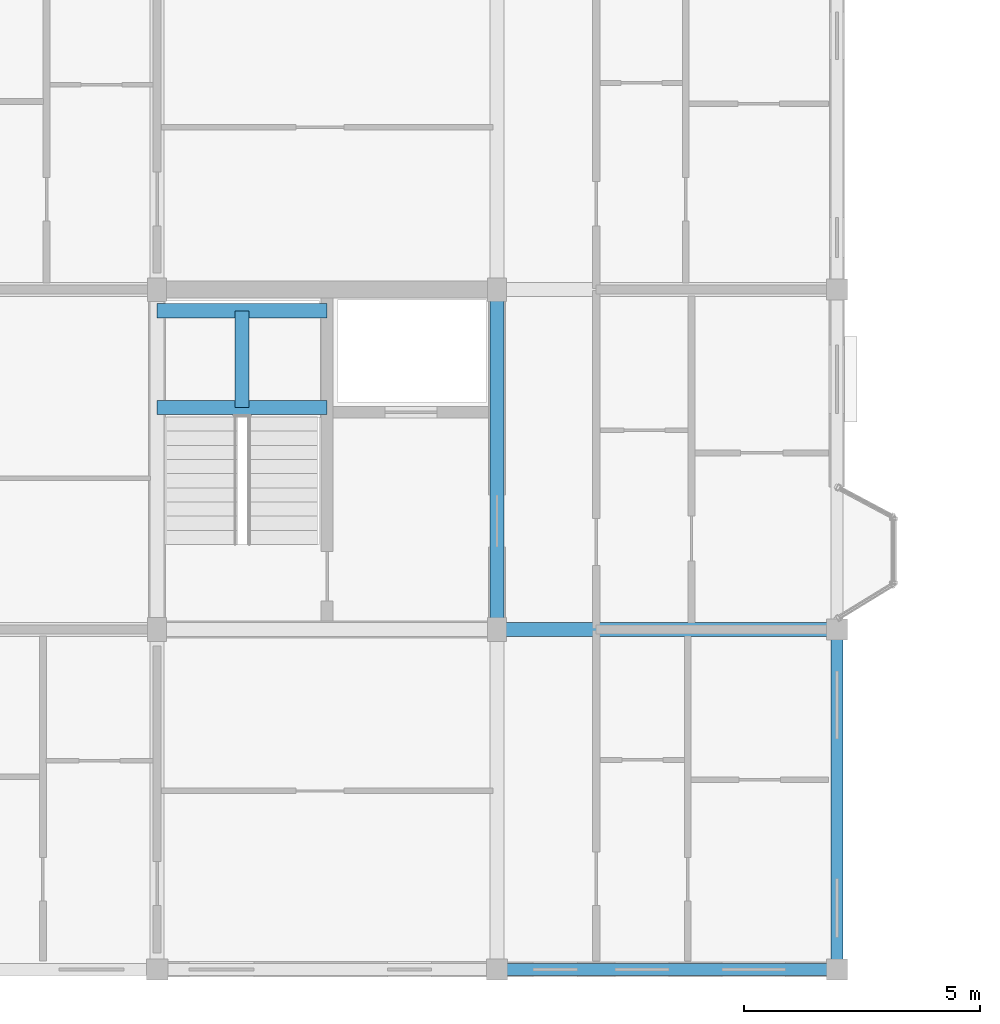
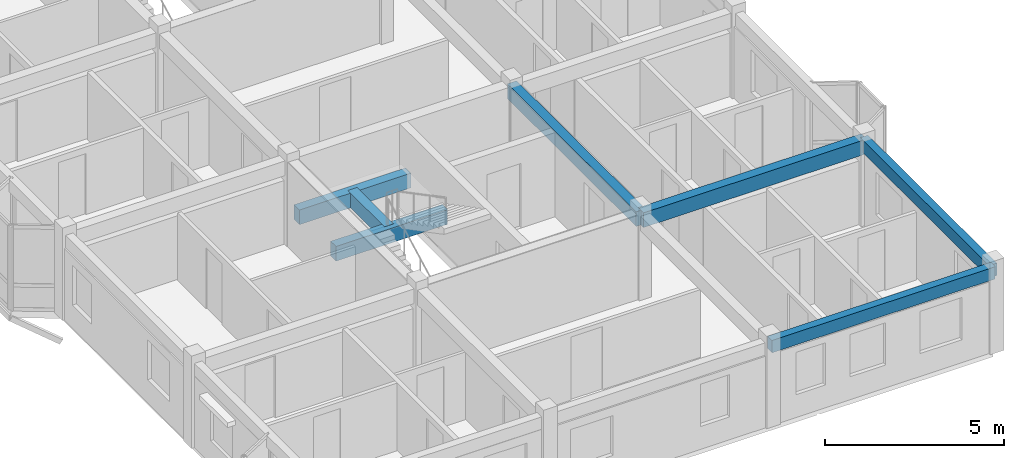
# One storey, part 6 of 23: 7 beams.
"""IFC4 building model written with IfcOpenShell, lengths in metres."""

from ifc_helpers import new_model, si_unit, direction, frame, origin, origin_2d, place, context, subcontext, project, spatial, rectangle, extrude, material, material_profile, profile_set, type_object, element, save


model = new_model("IFC4")

# Units and contexts
model_context = context("Model", 3, precision=1e-05, world=origin(), true_north=direction((0.0, 1.0)))
body_context = subcontext(model_context, "Body", "Model", "MODEL_VIEW")
ifc_project = project(units=[si_unit("LENGTHUNIT", "METRE"), si_unit("AREAUNIT", "SQUARE_METRE"), si_unit("VOLUMEUNIT", "CUBIC_METRE"), si_unit("PLANEANGLEUNIT", "RADIAN"), si_unit("MASSUNIT", "GRAM", prefix="KILO"), si_unit("THERMODYNAMICTEMPERATUREUNIT", "KELVIN"), si_unit("POWERUNIT", "WATT")], contexts=[model_context])

# Site, building, storey
site_placement = place(None, origin())
site = spatial("IfcSite", under=ifc_project, at=site_placement, CompositionType="ELEMENT")
building_placement = place(site_placement, origin())
building = spatial("IfcBuilding", under=site, at=building_placement, Name="Tavuni Mirador Residences", CompositionType="ELEMENT")
storey_placement = place(building_placement, frame((0.0, 0.0, 42.300048828125)))
storey = spatial("IfcBuildingStorey", under=building, at=storey_placement, Name="L13", CompositionType="ELEMENT", Elevation=42.300048828125)

# Beams
ifc_material = material(Name="Precast concrete C40/50", Category="concrete")
ifc_material_profile_1 = material_profile(ifc_material, rectangle(XDim=0.300048828125, YDim=0.5, at=origin_2d()), Name="PC 300x500", Category="concrete")
ifc_profile_set_1 = profile_set([ifc_material_profile_1], Name="Precast concrete C40/50")
beam_type_1 = type_object("IfcBeamType", Name="BT-B500", PredefinedType="BEAM", material=ifc_profile_set_1)
beam_1_placement = place(storey_placement, frame((18.0, 14.39990234375, 2.619873046875), z_axis=(1.0, 0.0, 0.0), x_axis=(0.0, 1.0, 0.0)))
element("IfcBeam", 1, at=beam_1_placement, inside=storey, type_object=beam_type_1, Name="BMX-BLK-A-L13-02-01", PredefinedType="BEAM", context=body_context, shape_type="SweptSolid", body=[
    extrude(rectangle(XDim=0.300048828125, YDim=0.5, at=origin_2d()), origin(), (0.0, 0.0, 1.0), 7.199951171875),
])
beam_2_placement = place(storey_placement, frame((18.0, 14.39990234375, 2.619873046875), z_axis=(0.0, 1.0, 0.0), x_axis=(-1.0, 0.0, 0.0)))
element("IfcBeam", 2, at=beam_2_placement, inside=storey, type_object=beam_type_1, Name="BMY-BLK-A-L13-02-01", PredefinedType="BEAM", context=body_context, shape_type="SweptSolid", body=[
    extrude(rectangle(XDim=0.300048828125, YDim=0.5, at=origin_2d()), origin(), (0.0, 0.0, 1.0), 7.2001953125),
])
for number, where, z_axis, x_axis, name in (
    (3, (10.800048828125, 19.10009765625, 1.14501953125), (1.0, 0.0, 0.0), (0.0, 1.0, 0.0), "HLB1-C1-L13"),
    (4, (10.800048828125, 21.14990234375, 1.14501953125), (1.0, 0.0, 0.0), (0.0, 1.0, 0.0), "HLB2-C1-L13"),
):
    element("IfcBeam", number, at=place(storey_placement, frame(where, z_axis=z_axis, x_axis=x_axis)), inside=storey, type_object=beam_type_1, Name=name, PredefinedType="BEAM", context=body_context, shape_type="SweptSolid", body=[
        extrude(rectangle(XDim=0.300048828125, YDim=0.5, at=origin_2d()), origin(), (0.0, 0.0, 1.0), 3.599853515625),
    ])
beam_3_placement = place(storey_placement, frame((12.60009765625, 19.10009765625, 1.14501953125), z_axis=(0.0, 1.0, 0.0), x_axis=(-1.0, 0.0, 0.0)))
element("IfcBeam", 5, at=beam_3_placement, inside=storey, type_object=beam_type_1, Name="HLB3-C1-L13", PredefinedType="BEAM", context=body_context, shape_type="SweptSolid", body=[
    extrude(rectangle(XDim=0.300048828125, YDim=0.5, at=origin_2d()), origin(), (0.0, 0.0, 1.0), 2.0498046875),
])
ifc_material_profile_2 = material_profile(ifc_material, rectangle(XDim=0.25, YDim=0.419921875, at=origin_2d()), Name="PC 250x420", Category="concrete")
ifc_profile_set_2 = profile_set([ifc_material_profile_2], Name="Precast concrete C40/50")
beam_type_2 = type_object("IfcBeamType", Name="BT-SP420", PredefinedType="SPANDREL", material=ifc_profile_set_2)
for number, where, z_axis, x_axis, name in (
    (6, (18.0, 7.199951171875, 2.659912109375), (1.0, 0.0, 0.0), (0.0, 1.0, 0.0), "BMX-BLK-A-L13-02-00"),
    (7, (25.199951171875, 7.199951171875, 2.659912109375), (0.0, 1.0, 0.0), (-1.0, 0.0, 0.0), "BMY-BLK-A-L13-03-00"),
):
    element("IfcBeam", number, at=place(storey_placement, frame(where, z_axis=z_axis, x_axis=x_axis)), inside=storey, type_object=beam_type_2, Name=name, PredefinedType="SPANDREL", context=body_context, shape_type="SweptSolid", body=[
        extrude(rectangle(XDim=0.25, YDim=0.419921875, at=origin_2d()), origin(), (0.0, 0.0, 1.0), 7.199951171875),
    ])

save(model, "model.ifc")
